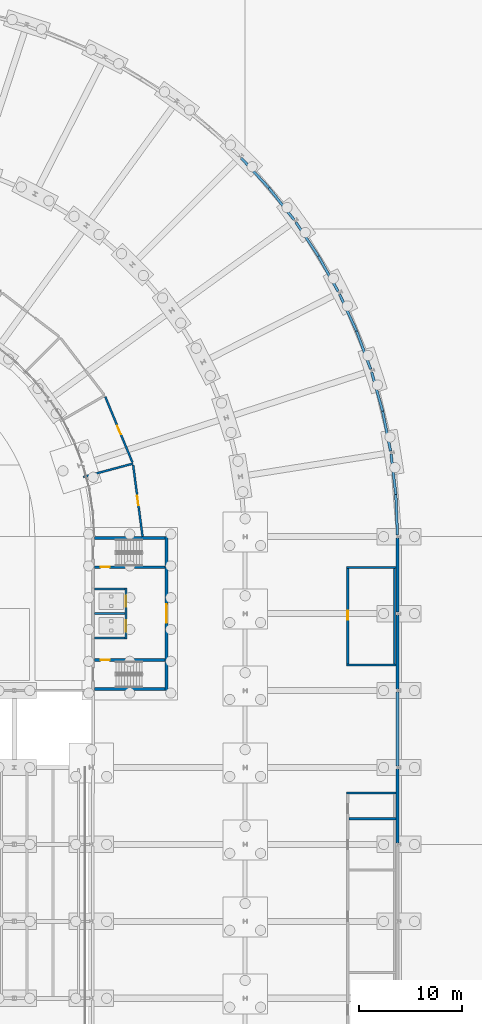
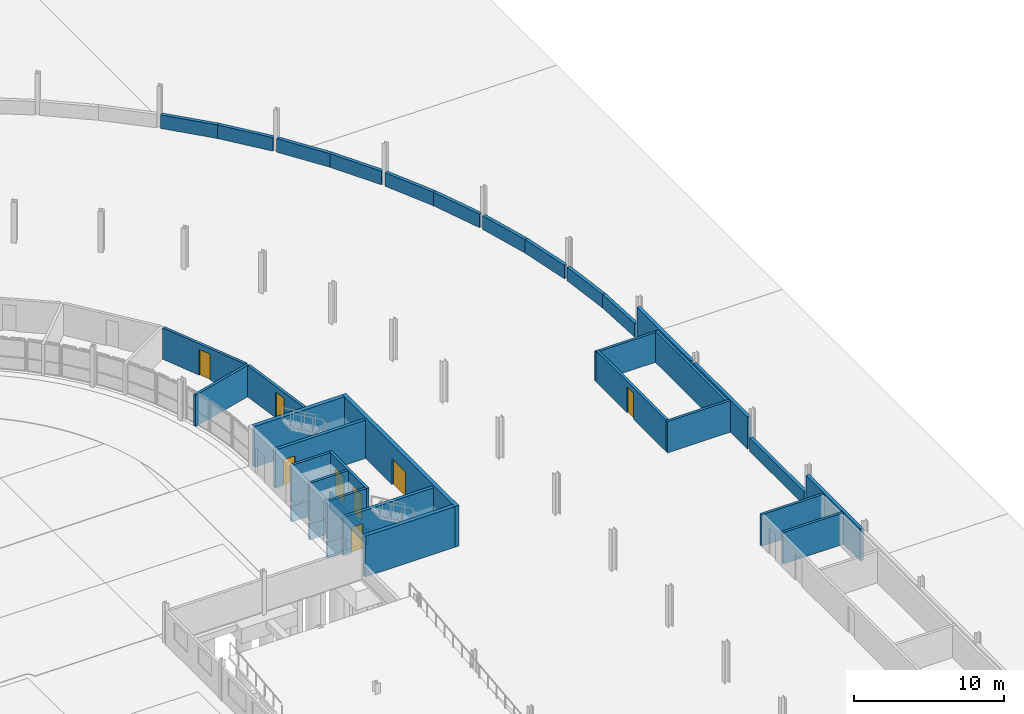
# One storey, part 92 of 130: 36 walls, 8 doors, 8 openings.
"""IFC4 building model written with IfcOpenShell, lengths in metres."""

from ifc_helpers import new_model, si_unit, direction, frame, frame_2d, origin, place, context, subcontext, project, spatial, rectangle, extrude, material, layer, layer_set, type_object, element, fill, save


model = new_model("IFC4")

# Units and contexts
model_context = context("Model", 3, precision=1e-05, world=origin(), true_north=direction((0.0, 1.0)))
body_context = subcontext(model_context, "Body", "Model", "MODEL_VIEW")
ifc_project = project(units=[si_unit("LENGTHUNIT", "METRE"), si_unit("AREAUNIT", "SQUARE_METRE"), si_unit("VOLUMEUNIT", "CUBIC_METRE"), si_unit("PLANEANGLEUNIT", "RADIAN"), si_unit("MASSUNIT", "GRAM", prefix="KILO")], contexts=[model_context])

# Site, building, storey
site_placement = place(None, origin())
site = spatial("IfcSite", under=ifc_project, at=site_placement, CompositionType="ELEMENT")
building_placement = place(site_placement, origin())
building = spatial("IfcBuilding", under=site, at=building_placement, Name="Parallax Yard Mobility Hub", CompositionType="ELEMENT")
storey_placement = place(building_placement, origin())
storey = spatial("IfcBuildingStorey", under=building, at=storey_placement, Name="L00", CompositionType="ELEMENT", Elevation=0.0)

# Wall, opening, door
ifc_material_1 = material(Name="Concrete fc' 35 MPa", Category="concrete")
ifc_layer_1 = layer(ifc_material_1, 0.300048828125)
ifc_layer_set_1 = layer_set([ifc_layer_1], Name="Concrete fc' 35 MPa core wall 300")
wall_type_1 = type_object("IfcWallType", Name="Concrete fc' 35 MPa core wall 300", PredefinedType="SHEAR", material=ifc_layer_set_1)
wall_1_placement = place(storey_placement, frame((202.35009765625, 90.0, 0.0), z_axis=(0.0, 0.0, 1.0), x_axis=(0.0, -1.0, 0.0)))
wall_1 = element("IfcWall", 1, at=wall_1_placement, inside=storey, type_object=wall_type_1, Name="Core C-E entry wall level L00", PredefinedType="SHEAR", context=body_context, shape_type="SweptSolid", body=[
    extrude(rectangle(XDim=15.0, YDim=0.300048828125, at=frame_2d((7.5, 0.0))), origin(), (0.0, 0.0, 1.0), 3.300048828125),
])
opening_1_placement = place(wall_1_placement, frame((6.60009765625, 0.0, 0.0)))
opening_1 = element("IfcOpeningElement", 2, at=opening_1_placement, cuts=wall_1, Name="Opening L00-D725", PredefinedType="OPENING", context=body_context, shape_type="SweptSolid", body=[
    extrude(rectangle(XDim=1.800048828125, YDim=2.10009765625, at=frame_2d((0.89990234375, 1.050048828125))), frame((0.0, 0.16015625, 0.0), z_axis=(0.0, -1.0, 0.0), x_axis=(1.0, 0.0, 0.0)), (0.0, 0.0, 1.0), 0.320068359375),
])
ifc_material_2 = material(Name="Hollow metal steel door and frame", Category="steel")
door_type_1 = type_object("IfcDoorType", Name="Core double door 1800 x 2100 FD90", OperationType="NOTDEFINED", PredefinedType="DOOR", material=ifc_material_2)
door_1_placement = place(opening_1_placement, origin())
door_1 = element("IfcDoor", 3, at=door_1_placement, inside=storey, type_object=door_type_1, Name="Lift lobby door L00-D725, core C-E level L00", OperationType="DOUBLE_DOOR_SINGLE_SWING", OverallHeight=2.10009765625, OverallWidth=1.800048828125, PredefinedType="DOOR", context=body_context, shape_type="SweptSolid", body=[
    extrude(rectangle(XDim=1.800048828125, YDim=2.10009765625, at=frame_2d((0.89990234375, 1.050048828125))), frame((0.0, 0.02490234375, 0.0), z_axis=(0.0, -1.0, 0.0), x_axis=(1.0, 0.0, 0.0)), (0.0, 0.0, 1.0), 0.050048828125),
])
fill(opening_1, door_1)

# Walls
for number, where, z_axis, x_axis, name in (
    (4, (202.199951171875, 75.14990234375, 0.0), (0.0, 0.0, 1.0), (-1.0, 0.0, 0.0), "Core C-E west-side end wall level L00"),
    (5, (202.199951171875, 89.85009765625, 0.0), (0.0, 0.0, 1.0), (-1.0, 0.0, 0.0), "Core C-E east-side end wall level L00"),
):
    element("IfcWall", number, at=place(storey_placement, frame(where, z_axis=z_axis, x_axis=x_axis)), inside=storey, type_object=wall_type_1, Name=name, PredefinedType="SHEAR", context=body_context, shape_type="SweptSolid", body=[
        extrude(rectangle(XDim=6.89990234375, YDim=0.300048828125, at=frame_2d((3.449951171875, 0.0))), origin(), (0.0, 0.0, 1.0), 3.300048828125),
    ])

# Wall, openings, doors
ifc_layer_2 = layer(ifc_material_1, 0.199951171875)
ifc_layer_set_2 = layer_set([ifc_layer_2], Name="Concrete fc' 35 MPa internal core wall 200")
wall_type_2 = type_object("IfcWallType", Name="Concrete fc' 35 MPa internal core wall 200", PredefinedType="STANDARD", material=ifc_layer_set_2)
wall_2_placement = place(storey_placement, frame((198.39990234375, 80.0, 0.0), z_axis=(0.0, 0.0, 1.0), x_axis=(0.0, 1.0, 0.0)))
wall_2 = element("IfcWall", 6, at=wall_2_placement, inside=storey, type_object=wall_type_2, Name="Core C-E lift front 2 part 2 level L00", PredefinedType="STANDARD", context=body_context, shape_type="SweptSolid", body=[
    extrude(rectangle(XDim=5.0, YDim=0.199951171875, at=frame_2d((2.5, 0.0))), origin(), (0.0, 0.0, 1.0), 3.10009765625),
])
opening_2_placement = place(wall_2_placement, frame((0.75, 0.0, 0.0)))
opening_2 = element("IfcOpeningElement", 7, at=opening_2_placement, cuts=wall_2, Name="Opening L00-D728", PredefinedType="OPENING", context=body_context, shape_type="SweptSolid", body=[
    extrude(rectangle(XDim=1.10009765625, YDim=2.10009765625, at=frame_2d((0.550048828125, 1.050048828125))), frame((0.0, 0.10986328125, 0.0), z_axis=(0.0, -1.0, 0.0), x_axis=(1.0, 0.0, 0.0)), (0.0, 0.0, 1.0), 0.219970703125),
])
opening_3_placement = place(wall_2_placement, frame((3.14990234375, 0.0, 0.0)))
opening_3 = element("IfcOpeningElement", 8, at=opening_3_placement, cuts=wall_2, Name="Opening L00-D729", PredefinedType="OPENING", context=body_context, shape_type="SweptSolid", body=[
    extrude(rectangle(XDim=1.10009765625, YDim=2.10009765625, at=frame_2d((0.550048828125, 1.050048828125))), frame((0.0, 0.10986328125, 0.0), z_axis=(0.0, -1.0, 0.0), x_axis=(1.0, 0.0, 0.0)), (0.0, 0.0, 1.0), 0.219970703125),
])
ifc_material_3 = material(Name="Stainless steel sliding door and frame", Category="steel")
door_type_2 = type_object("IfcDoorType", Name="Lift landing door 1100 x 2100 FD90", OperationType="DOUBLE_DOOR_SLIDING", PredefinedType="DOOR", material=ifc_material_3)
door_2_placement = place(opening_2_placement, origin())
door_2 = element("IfcDoor", 9, at=door_2_placement, inside=storey, type_object=door_type_2, Name="Lift landing door L00-D728, core C-E level L00", OperationType="DOUBLE_DOOR_SLIDING", OverallHeight=2.10009765625, OverallWidth=1.10009765625, PredefinedType="DOOR", context=body_context, shape_type="SweptSolid", body=[
    extrude(rectangle(XDim=1.10009765625, YDim=2.10009765625, at=frame_2d((0.550048828125, 1.050048828125))), frame((0.0, 0.02490234375, 0.0), z_axis=(0.0, -1.0, 0.0), x_axis=(1.0, 0.0, 0.0)), (0.0, 0.0, 1.0), 0.050048828125),
])
fill(opening_2, door_2)
door_3_placement = place(opening_3_placement, origin())
door_3 = element("IfcDoor", 10, at=door_3_placement, inside=storey, type_object=door_type_2, Name="Lift landing door L00-D729, core C-E level L00", OperationType="DOUBLE_DOOR_SLIDING", OverallHeight=2.10009765625, OverallWidth=1.10009765625, PredefinedType="DOOR", context=body_context, shape_type="SweptSolid", body=[
    extrude(rectangle(XDim=1.10009765625, YDim=2.10009765625, at=frame_2d((0.550048828125, 1.050048828125))), frame((0.0, 0.02490234375, 0.0), z_axis=(0.0, -1.0, 0.0), x_axis=(1.0, 0.0, 0.0)), (0.0, 0.0, 1.0), 0.050048828125),
])
fill(opening_3, door_3)

# Walls
for number, where, z_axis, x_axis, name in (
    (11, (198.300048828125, 80.10009765625, 0.0), (0.0, 0.0, 1.0), (-1.0, 0.0, 0.0), "Core C-E lift wall 1 part 1 level L00"),
    (12, (198.300048828125, 82.5, 0.0), (0.0, 0.0, 1.0), (-1.0, 0.0, 0.0), "Core C-E lift wall 2 part 2 level L00"),
    (13, (198.300048828125, 84.89990234375, 0.0), (0.0, 0.0, 1.0), (-1.0, 0.0, 0.0), "Core C-E lift wall 3 part 3 level L00"),
):
    element("IfcWall", number, at=place(storey_placement, frame(where, z_axis=z_axis, x_axis=x_axis)), inside=storey, type_object=wall_type_2, Name=name, PredefinedType="STANDARD", context=body_context, shape_type="SweptSolid", body=[
        extrude(rectangle(XDim=3.0, YDim=0.199951171875, at=frame_2d((1.5, 0.0))), origin(), (0.0, 0.0, 1.0), 3.10009765625),
    ])
wall_3_placement = place(storey_placement, frame((198.39990234375, 80.0, -1.5), z_axis=(0.0, 0.0, 1.0), x_axis=(0.0, 1.0, 0.0)))
element("IfcWall", 14, at=wall_3_placement, inside=storey, type_object=wall_type_2, Name="Core C-E lift pit wall front (shaft group 1)", PredefinedType="STANDARD", context=body_context, shape_type="SweptSolid", body=[
    extrude(rectangle(XDim=5.0, YDim=0.199951171875, at=frame_2d((2.5, 0.0))), origin(), (0.0, 0.0, 1.0), 1.300048828125),
])
for number, where, z_axis, x_axis, name in (
    (15, (198.300048828125, 80.10009765625, -1.5), (0.0, 0.0, 1.0), (-1.0, 0.0, 0.0), "Core C-E lift pit wall side 1 (shaft group 1)"),
    (16, (198.300048828125, 82.5, -1.5), (0.0, 0.0, 1.0), (-1.0, 0.0, 0.0), "Core C-E lift pit wall side 2 (shaft group 1)"),
    (17, (198.300048828125, 84.89990234375, -1.5), (0.0, 0.0, 1.0), (-1.0, 0.0, 0.0), "Core C-E lift pit wall side 3 (shaft group 1)"),
):
    element("IfcWall", number, at=place(storey_placement, frame(where, z_axis=z_axis, x_axis=x_axis)), inside=storey, type_object=wall_type_2, Name=name, PredefinedType="STANDARD", context=body_context, shape_type="SweptSolid", body=[
        extrude(rectangle(XDim=3.0, YDim=0.199951171875, at=frame_2d((1.5, 0.0))), origin(), (0.0, 0.0, 1.0), 1.300048828125),
    ])

# Wall, opening, door
ifc_layer_3 = layer(ifc_material_1, 0.25)
ifc_layer_set_3 = layer_set([ifc_layer_3], Name="Concrete fc' 35 MPa stair enclosure wall 250")
wall_type_3 = type_object("IfcWallType", Name="Concrete fc' 35 MPa stair enclosure wall 250", PredefinedType="STANDARD", material=ifc_layer_set_3)
wall_4_placement = place(storey_placement, frame((202.199951171875, 77.97509765625, 0.0), z_axis=(0.0, 0.0, 1.0), x_axis=(-1.0, 0.0, 0.0)))
wall_4 = element("IfcWall", 18, at=wall_4_placement, inside=storey, type_object=wall_type_3, Name="Core C-E stair 1 partition level L00", PredefinedType="STANDARD", context=body_context, shape_type="SweptSolid", body=[
    extrude(rectangle(XDim=6.89990234375, YDim=0.25, at=frame_2d((3.449951171875, 0.0))), origin(), (0.0, 0.0, 1.0), 3.10009765625),
])
opening_4_placement = place(wall_4_placement, frame((5.39990234375, 0.0, 0.0)))
opening_4 = element("IfcOpeningElement", 19, at=opening_4_placement, cuts=wall_4, Name="Opening L00-D726", PredefinedType="OPENING", context=body_context, shape_type="SweptSolid", body=[
    extrude(rectangle(XDim=0.89990234375, YDim=2.10009765625, at=frame_2d((0.449951171875, 1.050048828125))), frame((0.0, 0.135009765625, 0.0), z_axis=(0.0, -1.0, 0.0), x_axis=(1.0, 0.0, 0.0)), (0.0, 0.0, 1.0), 0.27001953125),
])
door_type_3 = type_object("IfcDoorType", Name="Core door 900 x 2100 FD90", OperationType="NOTDEFINED", PredefinedType="DOOR", material=ifc_material_2)
door_4_placement = place(opening_4_placement, origin())
door_4 = element("IfcDoor", 20, at=door_4_placement, inside=storey, type_object=door_type_3, Name="Stair lobby door L00-D726, core C-E level L00", OperationType="SINGLE_SWING_LEFT", OverallHeight=2.10009765625, OverallWidth=0.89990234375, PredefinedType="DOOR", context=body_context, shape_type="SweptSolid", body=[
    extrude(rectangle(XDim=0.89990234375, YDim=2.10009765625, at=frame_2d((0.449951171875, 1.050048828125))), frame((0.0, 0.02490234375, 0.0), z_axis=(0.0, -1.0, 0.0), x_axis=(1.0, 0.0, 0.0)), (0.0, 0.0, 1.0), 0.050048828125),
])
fill(opening_4, door_4)

wall_5_placement = place(storey_placement, frame((195.300048828125, 87.02490234375, 0.0), z_axis=(0.0, 0.0, 1.0), x_axis=(1.0, 0.0, 0.0)))
wall_5 = element("IfcWall", 21, at=wall_5_placement, inside=storey, type_object=wall_type_3, Name="Core C-E stair 2 partition level L00", PredefinedType="STANDARD", context=body_context, shape_type="SweptSolid", body=[
    extrude(rectangle(XDim=6.89990234375, YDim=0.25, at=frame_2d((3.449951171875, 0.0))), origin(), (0.0, 0.0, 1.0), 3.10009765625),
])
opening_5_placement = place(wall_5_placement, frame((0.60009765625, 0.0, 0.0)))
opening_5 = element("IfcOpeningElement", 22, at=opening_5_placement, cuts=wall_5, Name="Opening L00-D727", PredefinedType="OPENING", context=body_context, shape_type="SweptSolid", body=[
    extrude(rectangle(XDim=0.89990234375, YDim=2.10009765625, at=frame_2d((0.449951171875, 1.050048828125))), frame((0.0, 0.135009765625, 0.0), z_axis=(0.0, -1.0, 0.0), x_axis=(1.0, 0.0, 0.0)), (0.0, 0.0, 1.0), 0.27001953125),
])
door_5_placement = place(opening_5_placement, origin())
door_5 = element("IfcDoor", 23, at=door_5_placement, inside=storey, type_object=door_type_3, Name="Stair lobby door L00-D727, core C-E level L00", OperationType="SINGLE_SWING_RIGHT", OverallHeight=2.10009765625, OverallWidth=0.89990234375, PredefinedType="DOOR", context=body_context, shape_type="SweptSolid", body=[
    extrude(rectangle(XDim=0.89990234375, YDim=2.10009765625, at=frame_2d((0.449951171875, 1.050048828125))), frame((0.0, 0.02490234375, 0.0), z_axis=(0.0, -1.0, 0.0), x_axis=(1.0, 0.0, 0.0)), (0.0, 0.0, 1.0), 0.050048828125),
])
fill(opening_5, door_5)

# Walls
ifc_layer_4 = layer(ifc_material_1, 0.25)
ifc_layer_set_4 = layer_set([ifc_layer_4], Name="Deck-edge barrier wall, Concrete fc' 35 MPa precast, 250")
wall_type_4 = type_object("IfcWallType", Name="Deck-edge barrier wall, Concrete fc' 35 MPa precast, 250", PredefinedType="SOLIDWALL", material=ifc_layer_set_4)
wall_6_placement = place(storey_placement, frame((224.851318359375, 67.652587890625, 0.0), z_axis=(0.0, 0.0, 1.0), x_axis=(0.0, 1.0, 0.0)))
element("IfcWall", 24, at=wall_6_placement, inside=storey, type_object=wall_type_4, Name="Deck-edge barrier wall bay 38 level L00", PredefinedType="SOLIDWALL", context=body_context, shape_type="SweptSolid", body=[
    extrude(rectangle(XDim=7.19482421875, YDim=0.25, at=frame_2d((3.597412109375, 0.0))), origin(), (0.0, 0.0, 1.0), 1.10009765625),
])
wall_7_placement = place(storey_placement, frame((224.84521484375, 90.1484375, 0.0), z_axis=(0.0, 0.0, 1.0), x_axis=(-0.040239155672, 0.999190077188, 0.0)))
element("IfcWall", 25, at=wall_7_placement, inside=storey, type_object=wall_type_4, Name="Deck-edge barrier wall bay 41-1 level L00", PredefinedType="SOLIDWALL", context=body_context, shape_type="SweptSolid", body=[
    extrude(rectangle(XDim=3.955810546875, YDim=0.25, at=frame_2d((1.97802734375, 0.0))), origin(), (0.0, 0.0, 1.0), 1.10009765625),
])
wall_8_placement = place(storey_placement, frame((224.68505859375, 94.113037109375, 0.0), z_axis=(0.0, 0.0, 1.0), x_axis=(-0.117829081857, 0.993033890393, 0.0)))
element("IfcWall", 26, at=wall_8_placement, inside=storey, type_object=wall_type_4, Name="Deck-edge barrier wall bay 41-2 level L00", PredefinedType="SOLIDWALL", context=body_context, shape_type="SweptSolid", body=[
    extrude(rectangle(XDim=3.95751953125, YDim=0.25, at=frame_2d((1.978759765625, 0.0))), origin(), (0.0, 0.0, 1.0), 1.10009765625),
])
wall_9_placement = place(storey_placement, frame((224.1728515625, 98.33251953125, 0.0), z_axis=(0.0, 0.0, 1.0), x_axis=(-0.194799234318, 0.980843136444, 0.0)))
element("IfcWall", 27, at=wall_9_placement, inside=storey, type_object=wall_type_4, Name="Deck-edge barrier wall bay 42-1 level L00", PredefinedType="SOLIDWALL", context=body_context, shape_type="SweptSolid", body=[
    extrude(rectangle(XDim=3.9580078125, YDim=0.25, at=frame_2d((1.97900390625, 0.0))), origin(), (0.0, 0.0, 1.0), 1.10009765625),
])
wall_10_placement = place(storey_placement, frame((223.399169921875, 102.226318359375, 0.0), z_axis=(0.0, 0.0, 1.0), x_axis=(-0.270549162927, 0.962706159968, 0.0)))
element("IfcWall", 28, at=wall_10_placement, inside=storey, type_object=wall_type_4, Name="Deck-edge barrier wall bay 42-2 level L00", PredefinedType="SOLIDWALL", context=body_context, shape_type="SweptSolid", body=[
    extrude(rectangle(XDim=3.959716796875, YDim=0.25, at=frame_2d((1.97998046875, 0.0))), origin(), (0.0, 0.0, 1.0), 1.10009765625),
])
wall_11_placement = place(storey_placement, frame((222.2373046875, 106.31689453125, 0.0), z_axis=(0.0, 0.0, 1.0), x_axis=(-0.347034938639, 0.937852201236, 0.0)))
element("IfcWall", 29, at=wall_11_placement, inside=storey, type_object=wall_type_4, Name="Deck-edge barrier wall bay 43-1 level L00", PredefinedType="SOLIDWALL", context=body_context, shape_type="SweptSolid", body=[
    extrude(rectangle(XDim=3.955810546875, YDim=0.25, at=frame_2d((1.97802734375, 0.0))), origin(), (0.0, 0.0, 1.0), 1.10009765625),
])
for number, where, z_axis, x_axis, name in (
    (30, (220.85986328125, 110.0380859375, 0.0), (0.0, 0.0, 1.0), (-0.418960368306, 0.908004520797, 0.0), "Deck-edge barrier wall bay 43-2 level L00"),
    (31, (219.06884765625, 113.892578125, 0.0), (0.0, 0.0, 1.0), (-0.488359134006, 0.872642742612, 0.0), "Deck-edge barrier wall bay 44-1 level L00"),
):
    element("IfcWall", number, at=place(storey_placement, frame(where, z_axis=z_axis, x_axis=x_axis)), inside=storey, type_object=wall_type_4, Name=name, PredefinedType="SOLIDWALL", context=body_context, shape_type="SweptSolid", body=[
        extrude(rectangle(XDim=3.957275390625, YDim=0.25, at=frame_2d((1.978515625, 0.0))), origin(), (0.0, 0.0, 1.0), 1.10009765625),
    ])
wall_12_placement = place(storey_placement, frame((217.1298828125, 117.356201171875, 0.0), z_axis=(0.0, 0.0, 1.0), x_axis=(-0.554700196225, 0.832050294338, 0.0)))
element("IfcWall", 32, at=wall_12_placement, inside=storey, type_object=wall_type_4, Name="Deck-edge barrier wall bay 44-2 level L00", PredefinedType="SOLIDWALL", context=body_context, shape_type="SweptSolid", body=[
    extrude(rectangle(XDim=3.955810546875, YDim=0.25, at=frame_2d((1.97802734375, 0.0))), origin(), (0.0, 0.0, 1.0), 1.10009765625),
])
wall_13_placement = place(storey_placement, frame((214.763427734375, 120.884521484375, 0.0), z_axis=(0.0, 0.0, 1.0), x_axis=(-0.619856157671, 0.784715454032, 0.0)))
element("IfcWall", 33, at=wall_13_placement, inside=storey, type_object=wall_type_4, Name="Deck-edge barrier wall bay 45-1 level L00", PredefinedType="SOLIDWALL", context=body_context, shape_type="SweptSolid", body=[
    extrude(rectangle(XDim=3.9599609375, YDim=0.25, at=frame_2d((1.97998046875, 0.0))), origin(), (0.0, 0.0, 1.0), 1.10009765625),
])
wall_14_placement = place(storey_placement, frame((212.301025390625, 124.001220703125, 0.0), z_axis=(0.0, 0.0, 1.0), x_axis=(-0.679025358925, 0.734114815228, 0.0)))
element("IfcWall", 34, at=wall_14_placement, inside=storey, type_object=wall_type_4, Name="Deck-edge barrier wall bay 45-2 level L00", PredefinedType="SOLIDWALL", context=body_context, shape_type="SweptSolid", body=[
    extrude(rectangle(XDim=3.95751953125, YDim=0.25, at=frame_2d((1.978759765625, 0.0))), origin(), (0.0, 0.0, 1.0), 1.10009765625),
])
ifc_material_4 = material(Name="Fire-rated plasterboard partition, two layers each side")
ifc_layer_5 = layer(ifc_material_4, 0.199951171875)
ifc_layer_set_5 = layer_set([ifc_layer_5], Name="Fire-rated partition 200 mm")
wall_type_5 = type_object("IfcWallType", Name="Fire-rated partition 200 mm", PredefinedType="PARTITIONING", material=ifc_layer_set_5)
wall_15_placement = place(storey_placement, frame((220.10009765625, 62.5, 0.0), z_axis=(0.0, 0.0, 1.0), x_axis=(1.0, 0.0, 0.0)))
element("IfcWall", 35, at=wall_15_placement, inside=storey, type_object=wall_type_5, Name="Partition 37 level L00", PredefinedType="PARTITIONING", context=body_context, shape_type="SweptSolid", body=[
    extrude(rectangle(XDim=4.626220703125, YDim=0.199951171875, at=frame_2d((2.31298828125, 0.0))), origin(), (0.0, 0.0, 1.0), 2.55810546875),
])
for number, where, z_axis, x_axis, name in (
    (36, (219.89990234375, 65.0, 0.0), (0.0, 0.0, 1.0), (1.0, 0.0, 0.0), "Partition 38 level L00"),
    (37, (219.89990234375, 77.5, 0.0), (0.0, 0.0, 1.0), (1.0, 0.0, 0.0), "Partition 39 level L00"),
):
    element("IfcWall", number, at=place(storey_placement, frame(where, z_axis=z_axis, x_axis=x_axis)), inside=storey, type_object=wall_type_5, Name=name, PredefinedType="PARTITIONING", context=body_context, shape_type="SweptSolid", body=[
        extrude(rectangle(XDim=4.826416015625, YDim=0.199951171875, at=frame_2d((2.4130859375, 0.0))), origin(), (0.0, 0.0, 1.0), 2.55810546875),
    ])
wall_16_placement = place(storey_placement, frame((219.89990234375, 87.0, 0.0), z_axis=(0.0, 0.0, 1.0), x_axis=(1.0, 0.0, 0.0)))
element("IfcWall", 38, at=wall_16_placement, inside=storey, type_object=wall_type_5, Name="Partition 40 level L00", PredefinedType="PARTITIONING", context=body_context, shape_type="SweptSolid", body=[
    extrude(rectangle(XDim=4.826416015625, YDim=0.199951171875, at=frame_2d((2.4130859375, 0.0))), origin(), (0.0, 0.0, 1.0), 2.409912109375),
])
wall_17_placement = place(storey_placement, frame((194.23291015625, 95.822998046875, 0.0), z_axis=(0.0, 0.0, 1.0), x_axis=(0.965890504772, 0.258950830838, 0.0)))
element("IfcWall", 39, at=wall_17_placement, inside=storey, type_object=wall_type_5, Name="Partition 61 level L00", PredefinedType="PARTITIONING", context=body_context, shape_type="SweptSolid", body=[
    extrude(rectangle(XDim=5.000732421875, YDim=0.199951171875, at=frame_2d((2.50048828125, 0.0))), origin(), (0.0, 0.0, 1.0), 2.548095703125),
])

# Wall, opening, door
wall_18_placement = place(storey_placement, frame((196.36572265625, 103.6298828125, 0.0), z_axis=(0.0, 0.0, 1.0), x_axis=(0.382667610693, -0.923886085904, 0.0)))
wall_18 = element("IfcWall", 40, at=wall_18_placement, inside=storey, type_object=wall_type_5, Name="Partition 62 level L00", PredefinedType="PARTITIONING", context=body_context, shape_type="SweptSolid", body=[
    extrude(rectangle(XDim=6.91845703125, YDim=0.199951171875, at=frame_2d((3.459228515625, 0.0))), origin(), (0.0, 0.0, 1.0), 2.548095703125),
])
opening_6_placement = place(wall_18_placement, frame((3.050048828125, 0.0, 0.0)))
opening_6 = element("IfcOpeningElement", 41, at=opening_6_placement, cuts=wall_18, Name="Opening L00-D234", PredefinedType="OPENING", context=body_context, shape_type="SweptSolid", body=[
    extrude(rectangle(XDim=0.89990234375, YDim=2.10009765625, at=frame_2d((0.449951171875, 1.050048828125))), frame((0.0, 0.10986328125, 0.0), z_axis=(0.0, -1.0, 0.0), x_axis=(1.0, 0.0, 0.0)), (0.0, 0.0, 1.0), 0.219970703125),
])
ifc_material_5 = material(Name="Hollow metal fire door leaf with intumescent seals")
door_type_4 = type_object("IfcDoorType", Name="Fire door 900 mm FD60", OperationType="NOTDEFINED", PredefinedType="DOOR", material=ifc_material_5)
door_6_placement = place(opening_6_placement, origin())
door_6 = element("IfcDoor", 42, at=door_6_placement, inside=storey, type_object=door_type_4, Name="Door L00-D234 Parking Customer Service Office", OperationType="SINGLE_SWING_RIGHT", OverallHeight=2.10009765625, OverallWidth=0.89990234375, PredefinedType="DOOR", context=body_context, shape_type="SweptSolid", body=[
    extrude(rectangle(XDim=0.89990234375, YDim=2.10009765625, at=frame_2d((0.449951171875, 1.050048828125))), frame((0.0, 0.02490234375, 0.0), z_axis=(0.0, -1.0, 0.0), x_axis=(1.0, 0.0, 0.0)), (0.0, 0.0, 1.0), 0.050048828125),
])
fill(opening_6, door_6)

wall_19_placement = place(storey_placement, frame((199.080078125, 96.989013671875, 0.0), z_axis=(0.0, 0.0, 1.0), x_axis=(0.130498411199, -0.991448518419, 0.0)))
wall_19 = element("IfcWall", 43, at=wall_19_placement, inside=storey, type_object=wall_type_5, Name="Partition 63 level L00", PredefinedType="PARTITIONING", context=body_context, shape_type="SweptSolid", body=[
    extrude(rectangle(XDim=7.04931640625, YDim=0.199951171875, at=frame_2d((3.524658203125, 0.0))), origin(), (0.0, 0.0, 1.0), 2.548095703125),
])
opening_7_placement = place(wall_19_placement, frame((3.050048828125, 0.0, 0.0)))
opening_7 = element("IfcOpeningElement", 44, at=opening_7_placement, cuts=wall_19, Name="Opening L00-D233", PredefinedType="OPENING", context=body_context, shape_type="SweptSolid", body=[
    extrude(rectangle(XDim=0.89990234375, YDim=2.10009765625, at=frame_2d((0.449951171875, 1.050048828125))), frame((0.0, 0.10986328125, 0.0), z_axis=(0.0, -1.0, 0.0), x_axis=(1.0, 0.0, 0.0)), (0.0, 0.0, 1.0), 0.219970703125),
])
door_7_placement = place(opening_7_placement, origin())
door_7 = element("IfcDoor", 45, at=door_7_placement, inside=storey, type_object=door_type_4, Name="Door L00-D233 Passenger Waiting Lounge", OperationType="SINGLE_SWING_LEFT", OverallHeight=2.10009765625, OverallWidth=0.89990234375, PredefinedType="DOOR", context=body_context, shape_type="SweptSolid", body=[
    extrude(rectangle(XDim=0.89990234375, YDim=2.10009765625, at=frame_2d((0.449951171875, 1.050048828125))), frame((0.0, 0.02490234375, 0.0), z_axis=(0.0, -1.0, 0.0), x_axis=(1.0, 0.0, 0.0)), (0.0, 0.0, 1.0), 0.050048828125),
])
fill(opening_7, door_7)

wall_20_placement = place(storey_placement, frame((220.0, 77.60009765625, 0.0), z_axis=(0.0, 0.0, 1.0), x_axis=(0.0, 1.0, 0.0)))
wall_20 = element("IfcWall", 46, at=wall_20_placement, inside=storey, type_object=wall_type_5, Name="Partition 115 level L00", PredefinedType="PARTITIONING", context=body_context, shape_type="SweptSolid", body=[
    extrude(rectangle(XDim=9.2998046875, YDim=0.199951171875, at=frame_2d((4.64990234375, 0.0))), origin(), (0.0, 0.0, 1.0), 2.548095703125),
])
opening_8_placement = place(wall_20_placement, frame((4.300048828125, 0.0, 0.0)))
opening_8 = element("IfcOpeningElement", 47, at=opening_8_placement, cuts=wall_20, Name="Opening L00-D232", PredefinedType="OPENING", context=body_context, shape_type="SweptSolid", body=[
    extrude(rectangle(XDim=0.89990234375, YDim=2.10009765625, at=frame_2d((0.449951171875, 1.050048828125))), frame((0.0, 0.10986328125, 0.0), z_axis=(0.0, -1.0, 0.0), x_axis=(1.0, 0.0, 0.0)), (0.0, 0.0, 1.0), 0.219970703125),
])
door_8_placement = place(opening_8_placement, origin())
door_8 = element("IfcDoor", 48, at=door_8_placement, inside=storey, type_object=door_type_4, Name="Door L00-D232 Electrical Room", OperationType="SINGLE_SWING_RIGHT", OverallHeight=2.10009765625, OverallWidth=0.89990234375, PredefinedType="DOOR", context=body_context, shape_type="SweptSolid", body=[
    extrude(rectangle(XDim=0.89990234375, YDim=2.10009765625, at=frame_2d((0.449951171875, 1.050048828125))), frame((0.0, 0.02490234375, 0.0), z_axis=(0.0, -1.0, 0.0), x_axis=(1.0, 0.0, 0.0)), (0.0, 0.0, 1.0), 0.050048828125),
])
fill(opening_8, door_8)

# Walls
wall_21_placement = place(storey_placement, frame((224.550048828125, 77.60009765625, 0.0), z_axis=(0.0, 0.0, 1.0), x_axis=(0.0, 1.0, 0.0)))
element("IfcWall", 49, at=wall_21_placement, inside=storey, type_object=wall_type_5, Name="Partition 117 level L00", PredefinedType="PARTITIONING", context=body_context, shape_type="SweptSolid", body=[
    extrude(rectangle(XDim=9.2998046875, YDim=0.199951171875, at=frame_2d((4.64990234375, 0.0))), origin(), (0.0, 0.0, 1.0), 2.548095703125),
])
ifc_layer_6 = layer(ifc_material_1, 0.25)
ifc_layer_set_6 = layer_set([ifc_layer_6], Name="Ground-floor base wall, Concrete fc' 35 MPa precast, 250")
wall_type_6 = type_object("IfcWallType", Name="Ground-floor base wall, Concrete fc' 35 MPa precast, 250", PredefinedType="SOLIDWALL", material=ifc_layer_set_6)
for number, where, z_axis, x_axis, name in (
    (50, (224.851318359375, 60.152587890625, 0.0), (0.0, 0.0, 1.0), (0.0, 1.0, 0.0), "Ground-floor base wall bay 37 level L00"),
    (51, (224.851318359375, 75.152587890625, 0.0), (0.0, 0.0, 1.0), (0.0, 1.0, 0.0), "Ground-floor base wall bay 39 level L00"),
):
    element("IfcWall", number, at=place(storey_placement, frame(where, z_axis=z_axis, x_axis=x_axis)), inside=storey, type_object=wall_type_6, Name=name, PredefinedType="SOLIDWALL", context=body_context, shape_type="SweptSolid", body=[
        extrude(rectangle(XDim=7.19482421875, YDim=0.25, at=frame_2d((3.597412109375, 0.0))), origin(), (0.0, 0.0, 1.0), 2.60009765625),
    ])
wall_22_placement = place(storey_placement, frame((224.851318359375, 82.652587890625, 0.0), z_axis=(0.0, 0.0, 1.0), x_axis=(0.0, 1.0, 0.0)))
element("IfcWall", 52, at=wall_22_placement, inside=storey, type_object=wall_type_6, Name="Ground-floor base wall bay 40 level L00", PredefinedType="SOLIDWALL", context=body_context, shape_type="SweptSolid", body=[
    extrude(rectangle(XDim=7.197021484375, YDim=0.25, at=frame_2d((3.5986328125, 0.0))), origin(), (0.0, 0.0, 1.0), 2.60009765625),
])

save(model, "model.ifc")
